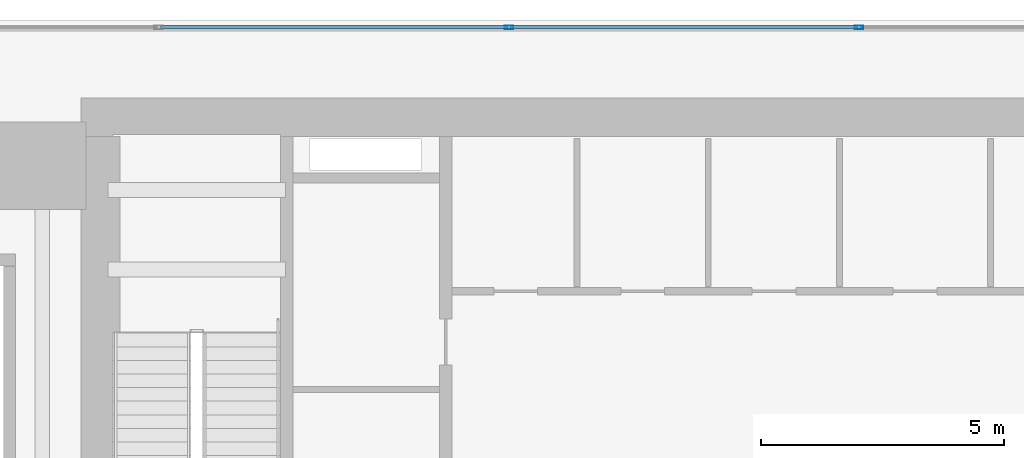
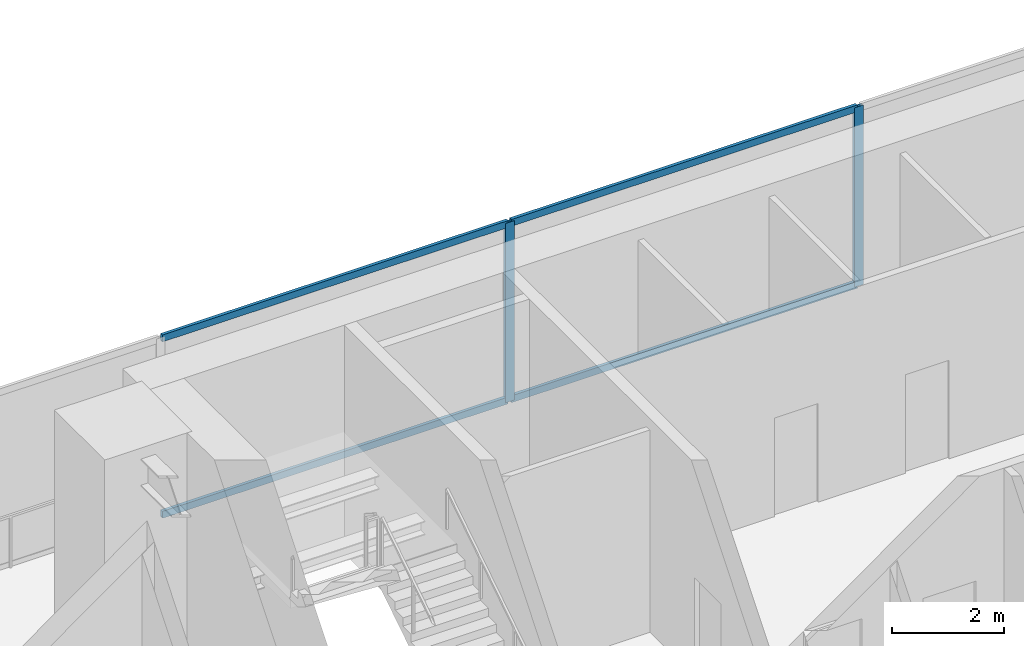
# One storey, part 4 of 15: 6 members, 1 element without a shape of its own.
"""IFC4 building model written with IfcOpenShell, lengths in metres."""

from ifc_helpers import new_model, si_unit, direction, frame, origin, origin_2d, place, context, subcontext, project, spatial, hollow_rectangle, extrude, source, transform, mapped, material, layer, layer_set, material_profile, profile_set, type_object, element, aggregate, save


model = new_model("IFC4")

# Units and contexts
model_context = context("Model", 3, precision=1e-05, world=origin(), true_north=direction((0.0, 1.0)))
body_context = subcontext(model_context, "Body", "Model", "MODEL_VIEW")
ifc_project = project(units=[si_unit("LENGTHUNIT", "METRE"), si_unit("AREAUNIT", "SQUARE_METRE"), si_unit("VOLUMEUNIT", "CUBIC_METRE"), si_unit("PLANEANGLEUNIT", "RADIAN"), si_unit("MASSUNIT", "GRAM", prefix="KILO")], contexts=[model_context])

# Site, building, storey
site_placement = place(None, origin())
site = spatial("IfcSite", under=ifc_project, at=site_placement, CompositionType="ELEMENT")
building_placement = place(site_placement, origin())
building = spatial("IfcBuilding", under=site, at=building_placement, Name="Sumidabori Civic Tower", CompositionType="ELEMENT")
storey_placement = place(building_placement, frame((0.0, 0.0, 18.949951171875)))
storey = spatial("IfcBuildingStorey", under=building, at=storey_placement, Name="L04", CompositionType="ELEMENT", Elevation=18.949951171875)

# Curtain wall, members
ifc_material = material(Name="Anodised Bronze Aluminium AW-6063-T6", Category="aluminium")
ifc_layer = layer(ifc_material, 0.179931640625, Name="Anodised Bronze Aluminium AW-6063-T6")
ifc_layer_set = layer_set([ifc_layer], Name="Anodised Bronze Aluminium AW-6063-T6")
curtain_wall_type = type_object("IfcCurtainWallType", Name="CW-SYS-1", PredefinedType="NOTDEFINED", material=ifc_layer_set)
curtain_wall_placement = place(storey_placement, origin())
curtain_wall = element("IfcCurtainWall", 1, at=curtain_wall_placement, inside=storey, type_object=curtain_wall_type, Name="Curtain Wall CW:L04:NORTH", PredefinedType="NOTDEFINED")
ifc_material_profile_1 = material_profile(ifc_material, hollow_rectangle(XDim=0.070068359375, YDim=0.179931640625, WallThickness=0.006103515625, at=origin_2d()), Name="ALU MULLION 180x70")
ifc_profile_set_1 = profile_set([ifc_material_profile_1], Name="Anodised Bronze Aluminium AW-6063-T6")
member_type_1 = type_object("IfcMemberType", Name="CW-MUL-180", PredefinedType="MULLION", material=ifc_profile_set_1)
shared_shape_1 = source(origin(), body_context, "Body", "SweptSolid", [
    extrude(hollow_rectangle(XDim=0.070068359375, YDim=0.179931640625, WallThickness=0.006103515625, at=origin_2d()), origin(), (0.0, 0.0, 1.0), 3.91015625),
])
member_1_placement = place(storey_placement, frame((-7.199951171875, 25.64990234375, 0.0), z_axis=(0.0, 0.0, 1.0), x_axis=(0.0, 1.0, 0.0)))
member_1 = element("IfcMember", 2, at=member_1_placement, type_object=member_type_1, Name="CW-1 mullion 4", PredefinedType="MULLION", context=body_context, shape_type="MappedRepresentation", body=[
    mapped(shared_shape_1, transform((0.0, 0.0, 0.0), x_axis=(1.0, 0.0, 0.0), y_axis=(0.0, 1.0, 0.0), z_axis=(0.0, 0.0, 1.0), scale=1.0)),
])
member_2_placement = place(storey_placement, frame((0.0, 25.64990234375, 0.0), z_axis=(0.0, 0.0, 1.0), x_axis=(0.0, 1.0, 0.0)))
member_2 = element("IfcMember", 3, at=member_2_placement, type_object=member_type_1, Name="CW-1 mullion 5", PredefinedType="MULLION", context=body_context, shape_type="MappedRepresentation", body=[
    mapped(shared_shape_1, transform((0.0, 0.0, 0.0), x_axis=(1.0, 0.0, 0.0), y_axis=(0.0, 1.0, 0.0), z_axis=(0.0, 0.0, 1.0), scale=1.0)),
])
ifc_material_profile_2 = material_profile(ifc_material, hollow_rectangle(XDim=0.06494140625, YDim=0.14990234375, WallThickness=0.0048828125, at=origin_2d()), Name="ALU TRANSOM 150x65")
ifc_profile_set_2 = profile_set([ifc_material_profile_2], Name="Anodised Bronze Aluminium AW-6063-T6")
member_type_2 = type_object("IfcMemberType", Name="CW-TRN-150", PredefinedType="USERDEFINED", material=ifc_profile_set_2)
shared_shape_2 = source(origin(), body_context, "Body", "SweptSolid", [
    extrude(hollow_rectangle(XDim=0.06494140625, YDim=0.14990234375, WallThickness=0.0048828125, at=origin_2d()), origin(), (0.0, 0.0, 1.0), 7.1298828125),
])
member_3_placement = place(storey_placement, frame((-14.364990234375, 25.64990234375, 0.032470703125), z_axis=(1.0, 0.0, 0.0), x_axis=(0.0, 1.0, 0.0)))
member_3 = element("IfcMember", 4, at=member_3_placement, type_object=member_type_2, Name="CW-1 transom 3.1", ObjectType="TRANSOM", PredefinedType="USERDEFINED", context=body_context, shape_type="MappedRepresentation", body=[
    mapped(shared_shape_2, transform((0.0, 0.0, 0.0), x_axis=(1.0, 0.0, 0.0), y_axis=(0.0, 1.0, 0.0), z_axis=(0.0, 0.0, 1.0), scale=1.0)),
])
member_4_placement = place(storey_placement, frame((-14.364990234375, 25.64990234375, 3.87744140625), z_axis=(1.0, 0.0, 0.0), x_axis=(0.0, 1.0, 0.0)))
member_4 = element("IfcMember", 5, at=member_4_placement, type_object=member_type_2, Name="CW-1 transom 3.2", ObjectType="TRANSOM", PredefinedType="USERDEFINED", context=body_context, shape_type="MappedRepresentation", body=[
    mapped(shared_shape_2, transform((0.0, 0.0, 0.0), x_axis=(1.0, 0.0, 0.0), y_axis=(0.0, 1.0, 0.0), z_axis=(0.0, 0.0, 1.0), scale=1.0)),
])
shared_shape_3 = source(origin(), body_context, "Body", "SweptSolid", [
    extrude(hollow_rectangle(XDim=0.06494140625, YDim=0.14990234375, WallThickness=0.0048828125, at=origin_2d()), origin(), (0.0, 0.0, 1.0), 7.130126953125),
])
member_5_placement = place(storey_placement, frame((-7.1650390625, 25.64990234375, 0.032470703125), z_axis=(1.0, 0.0, 0.0), x_axis=(0.0, 1.0, 0.0)))
member_5 = element("IfcMember", 6, at=member_5_placement, type_object=member_type_2, Name="CW-1 transom 4.1", ObjectType="TRANSOM", PredefinedType="USERDEFINED", context=body_context, shape_type="MappedRepresentation", body=[
    mapped(shared_shape_3, transform((0.0, 0.0, 0.0), x_axis=(1.0, 0.0, 0.0), y_axis=(0.0, 1.0, 0.0), z_axis=(0.0, 0.0, 1.0), scale=1.0)),
])
member_6_placement = place(storey_placement, frame((-7.1650390625, 25.64990234375, 3.87744140625), z_axis=(1.0, 0.0, 0.0), x_axis=(0.0, 1.0, 0.0)))
member_6 = element("IfcMember", 7, at=member_6_placement, type_object=member_type_2, Name="CW-1 transom 4.2", ObjectType="TRANSOM", PredefinedType="USERDEFINED", context=body_context, shape_type="MappedRepresentation", body=[
    mapped(shared_shape_3, transform((0.0, 0.0, 0.0), x_axis=(1.0, 0.0, 0.0), y_axis=(0.0, 1.0, 0.0), z_axis=(0.0, 0.0, 1.0), scale=1.0)),
])
aggregate(curtain_wall, [member_1, member_2, member_3, member_4, member_5, member_6])

save(model, "model.ifc")
